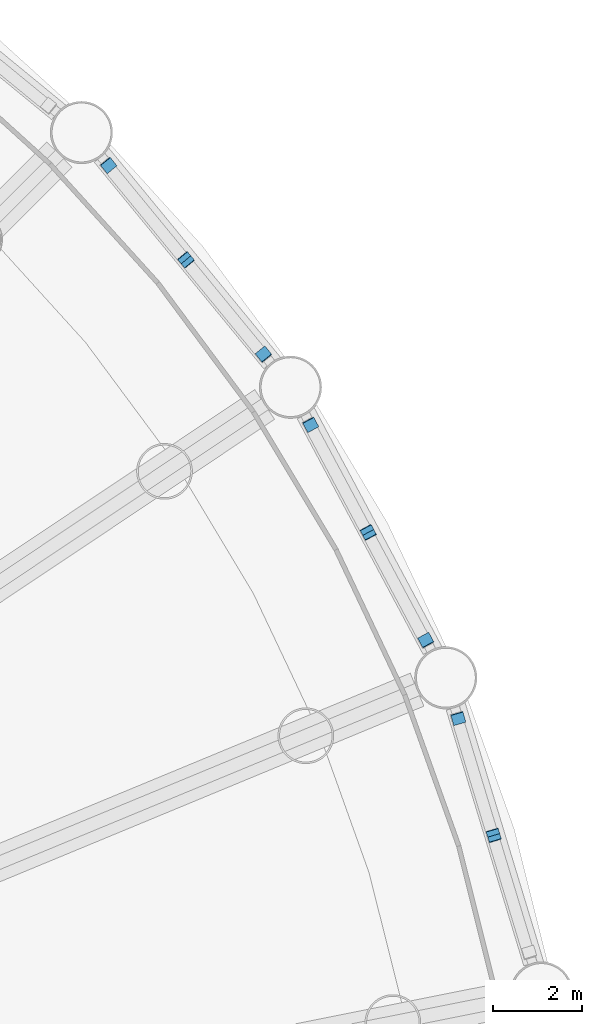
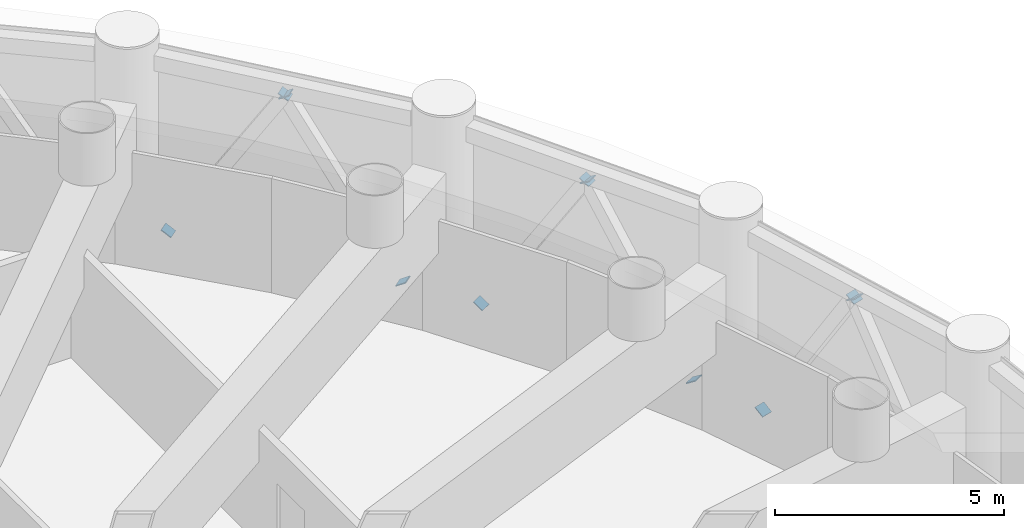
# One storey, part 16 of 26: 11 discrete accessories.
"""IFC4 building model written with IfcOpenShell, lengths in metres."""

from ifc_helpers import new_model, si_unit, direction, frame, origin, origin_2d, place, context, subcontext, project, spatial, rectangle, extrude, material, material_profile, profile_set, type_object, element, save


model = new_model("IFC4")

# Units and contexts
model_context = context("Model", 3, precision=1e-05, world=origin(), true_north=direction((0.0, 1.0)))
body_context = subcontext(model_context, "Body", "Model", "MODEL_VIEW")
ifc_project = project(units=[si_unit("LENGTHUNIT", "METRE"), si_unit("AREAUNIT", "SQUARE_METRE"), si_unit("VOLUMEUNIT", "CUBIC_METRE"), si_unit("PLANEANGLEUNIT", "RADIAN"), si_unit("MASSUNIT", "GRAM", prefix="KILO")], contexts=[model_context])

# Site, building, storey
site_placement = place(None, origin())
site = spatial("IfcSite", under=ifc_project, at=site_placement, CompositionType="ELEMENT")
building_placement = place(site_placement, origin())
building = spatial("IfcBuilding", under=site, at=building_placement, Name="Corvane Civic Tower", CompositionType="ELEMENT")
storey_placement = place(building_placement, frame((0.0, 0.0, 85.0)))
storey = spatial("IfcBuildingStorey", under=building, at=storey_placement, Name="L19", CompositionType="ELEMENT", Elevation=85.0)

# Discrete accessories
ifc_material = material(Name="Steel ASTM A572 Gr 50", Category="steel")
ifc_material_profile = material_profile(ifc_material, rectangle(XDim=0.2802734375, YDim=0.2802734375, at=origin_2d()), Name="GUSSET PLATE 25 IN HSS12X12X1/2")
ifc_profile_set = profile_set([ifc_material_profile], Name="Steel ASTM A572 Gr 50")
discrete_accessory_type = type_object("IfcDiscreteAccessoryType", Name="GUSSET PLATE 25 IN HSS12X12X1/2", PredefinedType="BRACKET", material=ifc_profile_set)
discrete_accessory_1_placement = place(storey_placement, frame((27.2607421875, 25.923583984375, 0.406494140625), z_axis=(0.334752053874, -0.413517243021, 0.846725783328), x_axis=(0.777244870707, 0.629198228668, 0.0)))
element("IfcDiscreteAccessory", 1, at=discrete_accessory_1_placement, inside=storey, type_object=discrete_accessory_type, Name="Gusset plate BD1 end A", PredefinedType="BRACKET", context=body_context, shape_type="SweptSolid", body=[
    extrude(rectangle(XDim=0.2802734375, YDim=0.2802734375, at=origin_2d()), origin(), (0.0, 0.0, 1.0), 0.02490234375),
])
discrete_accessory_2_placement = place(storey_placement, frame((29.002197265625, 23.801513671875, 4.74365234375), z_axis=(-0.340625545805, 0.408750654966, -0.846697785287), x_axis=(-0.768221279597, -0.640184399664, 0.0)))
element("IfcDiscreteAccessory", 2, at=discrete_accessory_2_placement, inside=storey, type_object=discrete_accessory_type, Name="Gusset plate BD1 end B", PredefinedType="BRACKET", context=body_context, shape_type="SweptSolid", body=[
    extrude(rectangle(XDim=0.2802734375, YDim=0.2802734375, at=origin_2d()), origin(), (0.0, 0.0, 1.0), 0.025146484375),
])
discrete_accessory_3_placement = place(storey_placement, frame((30.74365234375, 21.679443359375, 0.406494140625), z_axis=(-0.334752053874, 0.413517243021, 0.846725783328), x_axis=(-0.777244870707, -0.629198228668, 0.0)))
element("IfcDiscreteAccessory", 3, at=discrete_accessory_3_placement, inside=storey, type_object=discrete_accessory_type, Name="Gusset plate BD1 end A", PredefinedType="BRACKET", context=body_context, shape_type="SweptSolid", body=[
    extrude(rectangle(XDim=0.2802734375, YDim=0.2802734375, at=origin_2d()), origin(), (0.0, 0.0, 1.0), 0.02490234375),
])
discrete_accessory_4_placement = place(storey_placement, frame((29.002197265625, 23.801513671875, 4.74365234375), z_axis=(0.340625545805, -0.408750654966, -0.846697785287), x_axis=(0.768221279597, 0.640184399664, 0.0)))
element("IfcDiscreteAccessory", 4, at=discrete_accessory_4_placement, inside=storey, type_object=discrete_accessory_type, Name="Gusset plate BD1 end B", PredefinedType="BRACKET", context=body_context, shape_type="SweptSolid", body=[
    extrude(rectangle(XDim=0.2802734375, YDim=0.2802734375, at=origin_2d()), origin(), (0.0, 0.0, 1.0), 0.025146484375),
])
discrete_accessory_5_placement = place(storey_placement, frame((31.794189453125, 20.107177734375, 0.406494140625), z_axis=(0.255245660011, -0.471222756944, 0.844274106191), x_axis=(0.879291966537, 0.476283148541, 0.0)))
element("IfcDiscreteAccessory", 5, at=discrete_accessory_5_placement, inside=storey, type_object=discrete_accessory_type, Name="Gusset plate BD1 end A", PredefinedType="BRACKET", context=body_context, shape_type="SweptSolid", body=[
    extrude(rectangle(XDim=0.2802734375, YDim=0.2802734375, at=origin_2d()), origin(), (0.0, 0.0, 1.0), 0.02490234375),
])
discrete_accessory_6_placement = place(storey_placement, frame((33.08837890625, 17.686279296875, 4.74365234375), z_axis=(-0.253144037058, 0.467342837645, -0.847058893232), x_axis=(-0.879291966537, -0.476283148541, 0.0)))
element("IfcDiscreteAccessory", 6, at=discrete_accessory_6_placement, inside=storey, type_object=discrete_accessory_type, Name="Gusset plate BD1 end B", PredefinedType="BRACKET", context=body_context, shape_type="SweptSolid", body=[
    extrude(rectangle(XDim=0.2802734375, YDim=0.2802734375, at=origin_2d()), origin(), (0.0, 0.0, 1.0), 0.025146484375),
])
discrete_accessory_7_placement = place(storey_placement, frame((34.382568359375, 15.26513671875, 0.406494140625), z_axis=(-0.255245660011, 0.471222756944, 0.844274106191), x_axis=(-0.879291966537, -0.476283148541, 0.0)))
element("IfcDiscreteAccessory", 7, at=discrete_accessory_7_placement, inside=storey, type_object=discrete_accessory_type, Name="Gusset plate BD1 end A", PredefinedType="BRACKET", context=body_context, shape_type="SweptSolid", body=[
    extrude(rectangle(XDim=0.2802734375, YDim=0.2802734375, at=origin_2d()), origin(), (0.0, 0.0, 1.0), 0.02490234375),
])
discrete_accessory_8_placement = place(storey_placement, frame((33.08837890625, 17.686279296875, 4.74365234375), z_axis=(0.25198814938, -0.474900743063, -0.843191115234), x_axis=(0.883349020695, 0.468715806899, 0.0)))
element("IfcDiscreteAccessory", 8, at=discrete_accessory_8_placement, inside=storey, type_object=discrete_accessory_type, Name="Gusset plate BD1 end B", PredefinedType="BRACKET", context=body_context, shape_type="SweptSolid", body=[
    extrude(rectangle(XDim=0.2802734375, YDim=0.2802734375, at=origin_2d()), origin(), (0.0, 0.0, 1.0), 0.025146484375),
])
for number, where, z_axis, x_axis, name in (
    (9, (35.106201171875, 13.51806640625, 0.406494140625), (0.147620349392, -0.511750544557, 0.846356669845), (0.960823591181, 0.277160651302, 0.0), "Gusset plate BD1 end A"),
    (10, (35.90283203125, 10.89111328125, 4.74365234375), (-0.146398954364, 0.507516375128, -0.84911393531), (-0.960823591181, -0.277160651302, 0.0), "Gusset plate BD1 end B"),
):
    element("IfcDiscreteAccessory", number, at=place(storey_placement, frame(where, z_axis=z_axis, x_axis=x_axis)), inside=storey, type_object=discrete_accessory_type, Name=name, PredefinedType="BRACKET", context=body_context, shape_type="SweptSolid", body=[
        extrude(rectangle(XDim=0.2802734375, YDim=0.2802734375, at=origin_2d()), origin(), (0.0, 0.0, 1.0), 0.02490234375),
    ])
discrete_accessory_9_placement = place(storey_placement, frame((35.90283203125, 10.89111328125, 4.74365234375), z_axis=(0.155928829858, -0.50676869704, -0.847863012355), x_axis=(0.955779008722, 0.294085848838, 0.0)))
element("IfcDiscreteAccessory", 11, at=discrete_accessory_9_placement, inside=storey, type_object=discrete_accessory_type, Name="Gusset plate BD1 end B", PredefinedType="BRACKET", context=body_context, shape_type="SweptSolid", body=[
    extrude(rectangle(XDim=0.2802734375, YDim=0.2802734375, at=origin_2d()), origin(), (0.0, 0.0, 1.0), 0.025146484375),
])

save(model, "model.ifc")
